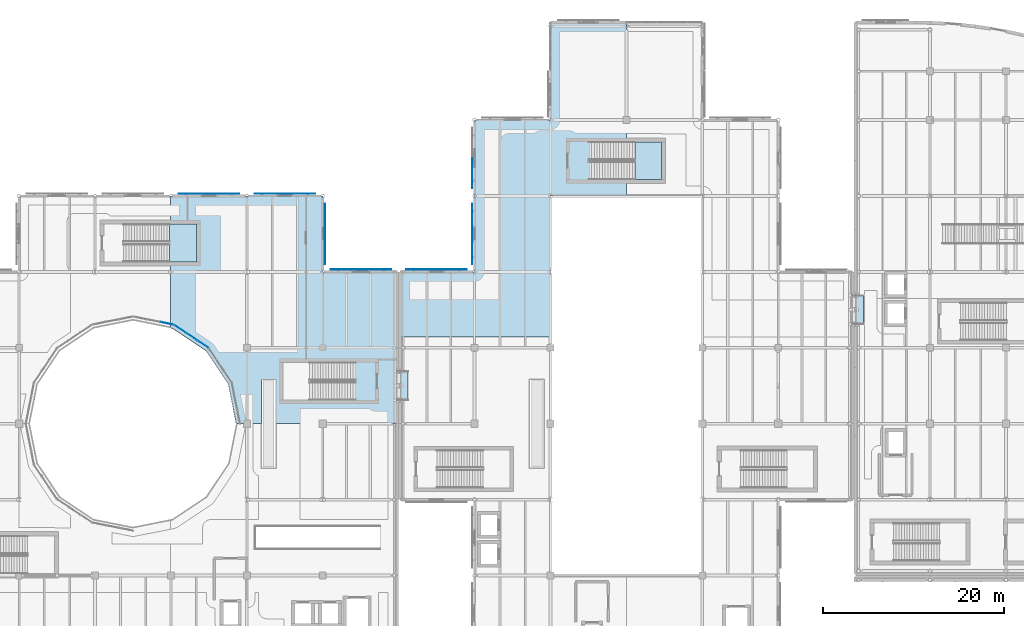
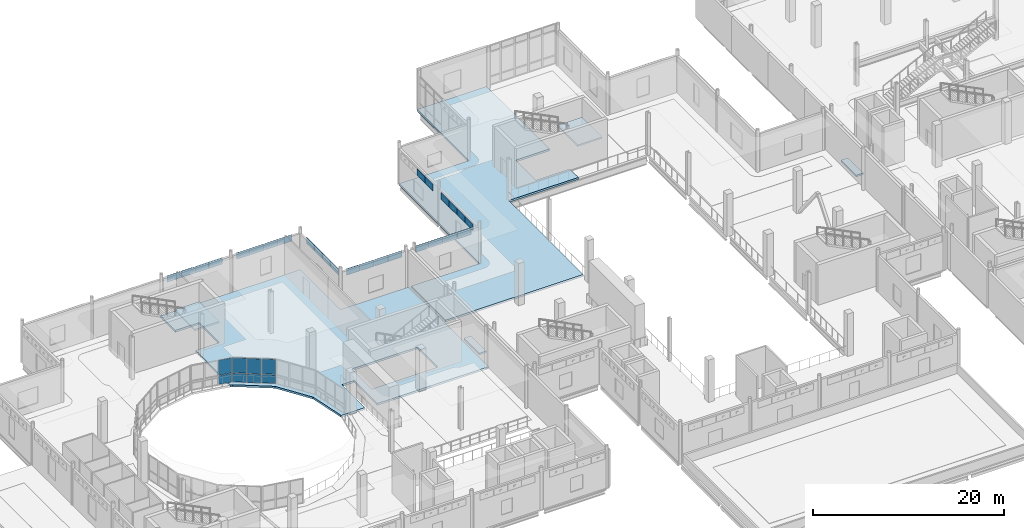
# One storey, part 59 of 110: 34 plates, 6 slabs, 4 elements without a shape of their own.
"""IFC4 building model written with IfcOpenShell, lengths in metres."""

import ifcopenshell
import ifcopenshell.guid

model = None  # the IFC model being written
_history = None  # IfcOwnerHistory: only IFC2X3 demands one
_inside = {}  # id of a spatial element -> (the spatial element, [elements in it])
_under = {}  # id of a project, library or spatial element -> (it, [spatial elements below it])
_declared = {}  # id of a project -> (the project, [libraries it declares])
_typed = {}  # id of a type object -> (the type object, [elements of that type])
_made_of = {}  # id of a material, layer set ... -> (it, [elements and type objects made of it])


def new_model(schema):
    """Start an empty IFC model of exactly this schema.

    Asked for "IFC4X3", IfcOpenShell would pick the latest addendum, in which some entities
    have other attributes; the version numbers below select the first issue.
    IFC2X3 requires an IfcOwnerHistory on every rooted entity: one is made here for all.
    """
    global model, _history
    if schema == "IFC4X3":
        model = ifcopenshell.file(schema_version=(4, 3, 0, 0))
    else:
        model = ifcopenshell.file(schema=schema)
    _inside.clear()
    _under.clear()
    _declared.clear()
    _typed.clear()
    _made_of.clear()
    _history = None
    if model.schema == "IFC2X3":
        org = make("IfcOrganization", Name="unknown")
        user = make(
            "IfcPersonAndOrganization",
            ThePerson=make("IfcPerson", FamilyName="unknown"),
            TheOrganization=org,
        )
        app = make(
            "IfcApplication",
            ApplicationDeveloper=org,
            Version="unknown",
            ApplicationFullName="unknown",
            ApplicationIdentifier="unknown",
        )
        _history = make(
            "IfcOwnerHistory",
            OwningUser=user,
            OwningApplication=app,
            ChangeAction="ADDED",
            CreationDate=0,
        )
    return model


def make(cls, **values):
    """One entity of the class cls with the attributes given. An attribute that is None is left unset."""
    return model.create_entity(
        cls, **{name: value for name, value in values.items() if value is not None}
    )


def rooted(cls, **values):
    """An entity with a GlobalId (a new one), such as an element, a storey or a relation."""
    return make(cls, GlobalId=ifcopenshell.guid.new(), OwnerHistory=_history, **values)


def si_unit(unit_type, name, prefix=None):
    """IfcSIUnit, for example si_unit("LENGTHUNIT", "METRE", prefix="MILLI")."""
    return make("IfcSIUnit", UnitType=unit_type, Prefix=prefix, Name=name)


def assignment(units):
    """IfcUnitAssignment: the units of a project."""
    return None if units is None else make("IfcUnitAssignment", Units=units)


def point(xyz):
    """IfcCartesianPoint."""
    return None if xyz is None else make("IfcCartesianPoint", Coordinates=xyz)


def direction(xyz):
    """IfcDirection."""
    return None if xyz is None else make("IfcDirection", DirectionRatios=xyz)


def frame(location, z_axis=None, x_axis=None):
    """IfcAxis2Placement3D, a coordinate frame: its origin and axes. An axis left out is left unset."""
    return make(
        "IfcAxis2Placement3D",
        Location=point(location),
        Axis=direction(z_axis),
        RefDirection=direction(x_axis),
    )


def frame_2d(location, x_axis=None):
    """IfcAxis2Placement2D, a coordinate frame in the plane: its origin and x axis."""
    return make(
        "IfcAxis2Placement2D", Location=point(location), RefDirection=direction(x_axis)
    )


def origin():
    """The frame at (0, 0, 0) with its axes left unset."""
    return frame((0.0, 0.0, 0.0))


def origin_2d():
    """The frame at (0, 0) in the plane with its x axis left unset."""
    return frame_2d((0.0, 0.0))


def place(relative_to, where):
    """IfcLocalPlacement: puts the frame where relative to a parent placement (None: the world)."""
    return make(
        "IfcLocalPlacement", PlacementRelTo=relative_to, RelativePlacement=where
    )


def context(
    kind, dimensions, precision=None, world=None, true_north=None, identifier=None
):
    """IfcGeometricRepresentationContext, for example the 3D "Model" context."""
    return make(
        "IfcGeometricRepresentationContext",
        ContextIdentifier=identifier,
        ContextType=kind,
        CoordinateSpaceDimension=dimensions,
        Precision=precision,
        WorldCoordinateSystem=world,
        TrueNorth=true_north,
    )


def subcontext(parent, identifier, kind, view, scale=None):
    """IfcGeometricRepresentationSubContext, for example "Body" below "Model"."""
    return make(
        "IfcGeometricRepresentationSubContext",
        ContextIdentifier=identifier,
        ContextType=kind,
        ParentContext=parent,
        TargetScale=scale,
        TargetView=view,
    )


def project(units=None, contexts=None):
    """IfcProject with its units and contexts."""
    return rooted(
        "IfcProject",
        Name="project",
        RepresentationContexts=contexts,
        UnitsInContext=assignment(units),
    )


def spatial(cls, under=None, at=None, **own):
    """A site, building, storey or space (cls), placed at a placement, below another one or the project."""
    s = rooted(cls, ObjectPlacement=at, **own)
    if under is not None:
        _under.setdefault(under.id(), (under, []))[1].append(s)
    return s


def polyline(points):
    """IfcPolyline through the points."""
    return make("IfcPolyline", Points=[point(p) for p in points])


def profile(cls, at=None, kind="AREA", **sizes):
    """A parametric profile (cls). Its sizes go by their IFC names, for example OverallWidth=200.0."""
    return make(cls, ProfileType=kind, Position=at, **sizes)


def rectangle(**sizes):
    """IfcRectangleProfileDef."""
    return profile("IfcRectangleProfileDef", **sizes)


def outline(outer, holes=None, kind="AREA"):
    """IfcArbitraryClosedProfileDef: a profile drawn as a closed curve; with holes, ...WithVoids."""
    if holes is None:
        return make("IfcArbitraryClosedProfileDef", ProfileType=kind, OuterCurve=outer)
    return make(
        "IfcArbitraryProfileDefWithVoids",
        ProfileType=kind,
        OuterCurve=outer,
        InnerCurves=holes,
    )


def extrude(swept, where, along, depth):
    """IfcExtrudedAreaSolid: the profile swept, set in the frame where, extruded along a direction by depth."""
    return make(
        "IfcExtrudedAreaSolid",
        SweptArea=swept,
        Position=where,
        ExtrudedDirection=direction(along),
        Depth=depth,
    )


def shape(context_of_items, identifier, shape_type, items):
    """IfcShapeRepresentation: the items that make up one representation, for example the "Body"."""
    return make(
        "IfcShapeRepresentation",
        ContextOfItems=context_of_items,
        RepresentationIdentifier=identifier,
        RepresentationType=shape_type,
        Items=items,
    )


def material(Name=None, Category=None):
    """IfcMaterial."""
    return make("IfcMaterial", Name=Name, Category=Category)


def layer(
    of_material, thickness, ventilated=None, Name=None, Category=None, Priority=None
):
    """IfcMaterialLayer: one layer of a wall or slab, of a material (None: an air gap)."""
    return make(
        "IfcMaterialLayer",
        Material=of_material,
        LayerThickness=thickness,
        IsVentilated=ventilated,
        Name=Name,
        Category=Category,
        Priority=Priority,
    )


def layer_set(layers, Name=None):
    """IfcMaterialLayerSet."""
    return make("IfcMaterialLayerSet", MaterialLayers=layers, LayerSetName=Name)


def made_of(thing, what):
    """Note that an element or type object is made of a material, layer set ...; save() writes the relation."""
    if what is not None:
        _made_of.setdefault(what.id(), (what, []))[1].append(thing)
    return thing


def type_object(cls, material=None, **own):
    """A type object (cls), such as IfcWallType, which elements share."""
    return made_of(rooted(cls, **own), material)


def element(
    cls,
    number,
    at=None,
    inside=None,
    cuts=None,
    type_object=None,
    material=None,
    context=None,
    identifier="Body",
    shape_type=None,
    held_by="IfcProductDefinitionShape",
    body=None,
    shapes=None,
    **own,
):
    """One element of the class cls, such as IfcWall. Its Tag is "e" and its number.

    at: its placement. inside: the storey or other place that contains it. cuts: it is an
    opening in that element (IfcRelVoidsElement). A single representation is given by context,
    identifier, shape_type and body (its items); several are given by shapes. held_by: the class
    of the entity that holds the representations. save() writes the other relations.
    """
    e = rooted(cls, Tag="e%d" % number, ObjectPlacement=at, **own)
    if body is not None:
        shapes = [shape(context, identifier, shape_type, body)]
    if shapes is not None:
        e.Representation = make(held_by, Representations=shapes)
    if inside is not None:
        _inside.setdefault(inside.id(), (inside, []))[1].append(e)
    if cuts is not None:
        rooted(
            "IfcRelVoidsElement", RelatingBuildingElement=cuts, RelatedOpeningElement=e
        )
    if type_object is not None:
        _typed.setdefault(type_object.id(), (type_object, []))[1].append(e)
    return made_of(e, material)


def aggregate(whole, parts):
    """IfcRelAggregates: a whole, such as a stair, and the parts it consists of."""
    return rooted("IfcRelAggregates", RelatingObject=whole, RelatedObjects=parts)


def save(model, path):
    """Write the relations noted so far, then the file.

    IfcRelAggregates (storeys below a building ...), IfcRelContainedInSpatialStructure (elements
    in a storey), IfcRelDefinesByType, IfcRelAssociatesMaterial and IfcRelDeclares: one each for
    every whole, place, type object, material and project.
    """
    for whole, parts in _under.values():
        aggregate(whole, parts)
    for where, things in _inside.values():
        rooted(
            "IfcRelContainedInSpatialStructure",
            RelatedElements=things,
            RelatingStructure=where,
        )
    for kind, things in _typed.values():
        rooted("IfcRelDefinesByType", RelatedObjects=things, RelatingType=kind)
    for what, things in _made_of.values():
        rooted("IfcRelAssociatesMaterial", RelatedObjects=things, RelatingMaterial=what)
    for by, libraries in _declared.values():
        rooted("IfcRelDeclares", RelatingContext=by, RelatedDefinitions=libraries)
    model.write(path)


model = new_model("IFC4")

# Units and contexts
model_context = context("Model", 3, precision=1e-05, world=origin(), true_north=direction((0.0, 1.0)))
body_context = subcontext(model_context, "Body", "Model", "MODEL_VIEW")
ifc_project = project(units=[si_unit("LENGTHUNIT", "METRE"), si_unit("AREAUNIT", "SQUARE_METRE"), si_unit("VOLUMEUNIT", "CUBIC_METRE"), si_unit("PLANEANGLEUNIT", "RADIAN"), si_unit("MASSUNIT", "GRAM", prefix="KILO"), si_unit("THERMODYNAMICTEMPERATUREUNIT", "KELVIN")], contexts=[model_context])

# Site, building, storey
site_placement = place(None, origin())
site = spatial("IfcSite", under=ifc_project, at=site_placement, CompositionType="ELEMENT")
building_placement = place(site_placement, origin())
building = spatial("IfcBuilding", under=site, at=building_placement, Name="Lustrewick Department Store", CompositionType="ELEMENT")
storey_placement = place(building_placement, frame((0.0, 0.0, 6.0)))
storey = spatial("IfcBuildingStorey", under=building, at=storey_placement, Name="L02", CompositionType="ELEMENT", Elevation=6.0)

# Curtain wall, plates
ifc_material_1 = material(Name="Thermally broken aluminium 6063-T5", Category="aluminium")
ifc_layer_1 = layer(ifc_material_1, 0.169921875, Name="Thermally broken aluminium 6063-T5")
ifc_layer_set_1 = layer_set([ifc_layer_1], Name="Thermally broken aluminium 6063-T5")
curtain_wall_type_1 = type_object("IfcCurtainWallType", Name="CW16", PredefinedType="NOTDEFINED", material=ifc_layer_set_1)
curtain_wall_1_placement = place(storey_placement, origin())
curtain_wall_1 = element("IfcCurtainWall", 1, at=curtain_wall_1_placement, inside=storey, type_object=curtain_wall_type_1, Name="L02 Atrium Glazed Screen CW16", PredefinedType="NOTDEFINED")
ifc_material_2 = material(Name="Fire-protective atrium safety glass", Category="glass")
ifc_layer_2 = layer(ifc_material_2, 0.02490234375, Name="Fire-protective atrium safety glass")
ifc_layer_set_2 = layer_set([ifc_layer_2], Name="Fire-protective atrium safety glass")
plate_type_1 = type_object("IfcPlateType", Name="CP06", PredefinedType="CURTAIN_PANEL", material=ifc_layer_set_2)
plate_1_placement = place(storey_placement, frame((37.125, 76.016357421875, 0.06494140625), z_axis=(0.0, 0.0, 1.0), x_axis=(-0.831464212799, 0.555578313862, 0.0)))
plate_1 = element("IfcPlate", 2, at=plate_1_placement, type_object=plate_type_1, Name="CW16 panel 1.1", PredefinedType="CURTAIN_PANEL", context=body_context, shape_type="SweptSolid", body=[
    extrude(rectangle(XDim=1.443603515625, YDim=0.02490234375, at=origin_2d()), origin(), (0.0, 0.0, 1.0), 1.1025390625),
])
plate_2_placement = place(storey_placement, frame((37.125, 76.016357421875, 1.232421875), z_axis=(0.0, 0.0, 1.0), x_axis=(-0.831464212799, 0.555578313862, 0.0)))
plate_2 = element("IfcPlate", 3, at=plate_2_placement, type_object=plate_type_1, Name="CW16 panel 1.2", PredefinedType="CURTAIN_PANEL", context=body_context, shape_type="SweptSolid", body=[
    extrude(rectangle(XDim=1.443603515625, YDim=0.02490234375, at=origin_2d()), origin(), (0.0, 0.0, 1.0), 1.902587890625),
])
plate_3_placement = place(storey_placement, frame((35.85693359375, 76.863525390625, 0.06494140625), z_axis=(0.0, 0.0, 1.0), x_axis=(-0.831464212799, 0.555578313862, 0.0)))
plate_3 = element("IfcPlate", 4, at=plate_3_placement, type_object=plate_type_1, Name="CW16 panel 2.1", PredefinedType="CURTAIN_PANEL", context=body_context, shape_type="SweptSolid", body=[
    extrude(rectangle(XDim=1.476318359375, YDim=0.02490234375, at=origin_2d()), origin(), (0.0, 0.0, 1.0), 1.1025390625),
])
plate_4_placement = place(storey_placement, frame((35.85693359375, 76.863525390625, 1.232421875), z_axis=(0.0, 0.0, 1.0), x_axis=(-0.831464212799, 0.555578313862, 0.0)))
plate_4 = element("IfcPlate", 5, at=plate_4_placement, type_object=plate_type_1, Name="CW16 panel 2.2", PredefinedType="CURTAIN_PANEL", context=body_context, shape_type="SweptSolid", body=[
    extrude(rectangle(XDim=1.476318359375, YDim=0.02490234375, at=origin_2d()), origin(), (0.0, 0.0, 1.0), 1.902587890625),
])
plate_5_placement = place(storey_placement, frame((34.589111328125, 77.7109375, 0.06494140625), z_axis=(0.0, 0.0, 1.0), x_axis=(-0.831464212799, 0.555578313862, 0.0)))
plate_5 = element("IfcPlate", 6, at=plate_5_placement, type_object=plate_type_1, Name="CW16 panel 3.1", PredefinedType="CURTAIN_PANEL", context=body_context, shape_type="SweptSolid", body=[
    extrude(rectangle(XDim=1.443603515625, YDim=0.02490234375, at=origin_2d()), origin(), (0.0, 0.0, 1.0), 1.1025390625),
])
plate_6_placement = place(storey_placement, frame((34.589111328125, 77.7109375, 1.232421875), z_axis=(0.0, 0.0, 1.0), x_axis=(-0.831464212799, 0.555578313862, 0.0)))
plate_6 = element("IfcPlate", 7, at=plate_6_placement, type_object=plate_type_1, Name="CW16 panel 3.2", PredefinedType="CURTAIN_PANEL", context=body_context, shape_type="SweptSolid", body=[
    extrude(rectangle(XDim=1.443603515625, YDim=0.02490234375, at=origin_2d()), origin(), (0.0, 0.0, 1.0), 1.902587890625),
])
aggregate(curtain_wall_1, [plate_1, plate_2, plate_3, plate_4, plate_5, plate_6])

ifc_layer_3 = layer(ifc_material_1, 0.159912109375, Name="Thermally broken aluminium 6063-T5")
ifc_layer_set_3 = layer_set([ifc_layer_3], Name="Thermally broken aluminium 6063-T5")
curtain_wall_type_2 = type_object("IfcCurtainWallType", Name="CW17", PredefinedType="NOTDEFINED", material=ifc_layer_set_3)
curtain_wall_2_placement = place(storey_placement, origin())
curtain_wall_2 = element("IfcCurtainWall", 8, at=curtain_wall_2_placement, inside=storey, type_object=curtain_wall_type_2, Name="L02 Atrium Glazed Screen CW17", PredefinedType="NOTDEFINED")
ifc_layer_4 = layer(ifc_material_2, 0.027099609375, Name="Fire-protective atrium safety glass")
ifc_layer_set_4 = layer_set([ifc_layer_4], Name="Fire-protective atrium safety glass")
plate_type_2 = type_object("IfcPlateType", Name="CP07", PredefinedType="CURTAIN_PANEL", material=ifc_layer_set_4)
plate_7_placement = place(storey_placement, frame((33.164306640625, 78.30126953125, 0.06005859375), z_axis=(0.0, 0.0, 1.0), x_axis=(-0.980786430993, 0.195084537521, 0.0)))
plate_7 = element("IfcPlate", 9, at=plate_7_placement, type_object=plate_type_2, Name="CW17 panel 1.1", PredefinedType="CURTAIN_PANEL", context=body_context, shape_type="SweptSolid", body=[
    extrude(rectangle(XDim=1.451171875, YDim=0.027099609375, at=origin_2d()), origin(), (0.0, 0.0, 1.0), 1.110107421875),
])
plate_8_placement = place(storey_placement, frame((33.164306640625, 78.30126953125, 1.22998046875), z_axis=(0.0, 0.0, 1.0), x_axis=(-0.980786430993, 0.195084537521, 0.0)))
plate_8 = element("IfcPlate", 10, at=plate_8_placement, type_object=plate_type_2, Name="CW17 panel 1.2", PredefinedType="CURTAIN_PANEL", context=body_context, shape_type="SweptSolid", body=[
    extrude(rectangle(XDim=1.451171875, YDim=0.027099609375, at=origin_2d()), origin(), (0.0, 0.0, 1.0), 1.909912109375),
])
aggregate(curtain_wall_2, [plate_7, plate_8])

# Slabs
ifc_material_3 = material(Name="Concrete C30", Category="concrete")
ifc_layer_5 = layer(ifc_material_3, 0.25, Name="Concrete C30")
ifc_layer_set_5 = layer_set([ifc_layer_5], Name="Concrete C30")
slab_type_1 = type_object("IfcSlabType", Name="FS02", PredefinedType="FLOOR", material=ifc_layer_set_5)
slab_1_placement = place(storey_placement, frame((0.0, 0.0, -0.25)))
element("IfcSlab", 11, at=slab_1_placement, inside=storey, type_object=slab_type_1, Name="L02 V1 Floor Slab FS02", PredefinedType="FLOOR", context=body_context, shape_type="SweptSolid", body=[
    extrude(outline(polyline([(58.64990234375, 67.199951171875), (58.64990234375, 84.0), (50.39990234375, 84.0), (50.39990234375, 92.39990234375), (33.52490234375, 92.39990234375), (33.52490234375, 89.300048828125), (36.39990234375, 89.300048828125), (36.39990234375, 85.10009765625), (33.52490234375, 85.10009765625), (33.52490234375, 77.779541015625), (33.7626953125, 77.732177734375), (37.4609375, 75.260986328125), (39.93212890625, 71.5625), (40.800048828125, 67.199951171875), (43.64990234375, 67.199951171875), (43.64990234375, 72.050048828125), (45.14990234375, 72.050048828125), (45.14990234375, 67.199951171875), (58.64990234375, 67.199951171875)]), holes=[polyline([(46.0, 69.800048828125), (46.0, 74.0), (53.97998046875, 74.0), (53.97998046875, 69.800048828125), (46.0, 69.800048828125)])]), origin(), (0.0, 0.0, 1.0), 0.25),
])
slab_2_placement = place(storey_placement, frame((0.0, 0.0, -0.25)))
element("IfcSlab", 12, at=slab_2_placement, inside=storey, type_object=slab_type_1, Name="L02 V2 Floor Slab FS02", PredefinedType="FLOOR", context=body_context, shape_type="SweptSolid", body=[
    extrude(outline(polyline([(58.949951171875, 84.0), (58.949951171875, 76.800048828125), (75.60009765625, 76.800048828125), (75.60009765625, 92.39990234375), (84.0, 92.39990234375), (84.0, 94.199951171875), (79.919921875, 94.199951171875), (79.919921875, 98.39990234375), (84.0, 98.39990234375), (84.0, 111.60009765625), (75.60009765625, 111.60009765625), (75.60009765625, 100.800048828125), (67.199951171875, 100.800048828125), (67.199951171875, 84.0), (58.949951171875, 84.0)])), origin(), (0.0, 0.0, 1.0), 0.25),
])
ifc_layer_6 = layer(ifc_material_3, 0.215087890625, Name="Concrete C30")
ifc_layer_set_6 = layer_set([ifc_layer_6], Name="Concrete C30")
slab_type_2 = type_object("IfcSlabType", Name="FS10", PredefinedType="FLOOR", material=ifc_layer_set_6)
slab_3_placement = place(storey_placement, frame((0.0, 0.0, -0.215087890625)))
element("IfcSlab", 13, at=slab_3_placement, inside=storey, type_object=slab_type_2, Name="L02 Skybridge SB12 Deck Slab", PredefinedType="FLOOR", context=body_context, shape_type="SweptSolid", body=[
    extrude(outline(polyline([(59.830078125, 69.800048828125), (59.830078125, 73.0), (58.955078125, 73.0), (58.955078125, 69.800048828125), (59.830078125, 69.800048828125)])), origin(), (0.0, 0.0, 1.0), 0.215087890625),
])
slab_4_placement = place(storey_placement, frame((0.0, 0.0, -0.215087890625)))
element("IfcSlab", 14, at=slab_4_placement, inside=storey, type_object=slab_type_2, Name="L02 Skybridge SB24 Deck Slab", PredefinedType="FLOOR", context=body_context, shape_type="SweptSolid", body=[
    extrude(outline(polyline([(110.22998046875, 78.199951171875), (110.22998046875, 81.39990234375), (109.35498046875, 81.39990234375), (109.35498046875, 78.199951171875), (110.22998046875, 78.199951171875)])), origin(), (0.0, 0.0, 1.0), 0.215087890625),
])

# Stair, slab
stair_type = type_object("IfcStairType", Name="ST-H54", PredefinedType="HALF_TURN_STAIR", material=ifc_material_3)
stair_1_placement = place(storey_placement, origin())
stair_1 = element("IfcStair", 15, at=stair_1_placement, inside=storey, type_object=stair_type, Name="L02 Smoke-Proof Exit Stair ST03", PredefinedType="HALF_TURN_STAIR")
ifc_layer_7 = layer(ifc_material_3, 0.199951171875, Name="Concrete C30")
ifc_layer_set_7 = layer_set([ifc_layer_7], Name="Concrete C30")
slab_type_3 = type_object("IfcSlabType", Name="LS01", PredefinedType="LANDING", material=ifc_layer_set_7)
slab_5_placement = place(storey_placement, frame((0.0, 0.0, 2.5)))
slab_5 = element("IfcSlab", 16, at=slab_5_placement, type_object=slab_type_3, Name="ST-H54 landing 1", PredefinedType="LANDING", context=body_context, shape_type="SweptSolid", body=[
    extrude(outline(polyline([(33.449951171875, 85.10009765625), (36.39990234375, 85.10009765625), (36.39990234375, 89.300048828125), (33.449951171875, 89.300048828125), (33.449951171875, 85.10009765625)])), origin(), (0.0, 0.0, 1.0), 0.199951171875),
])
aggregate(stair_1, [slab_5])

stair_2_placement = place(storey_placement, origin())
stair_2 = element("IfcStair", 17, at=stair_2_placement, inside=storey, type_object=stair_type, Name="L02 Smoke-Proof Exit Stair ST06", PredefinedType="HALF_TURN_STAIR")
slab_6_placement = place(storey_placement, frame((0.0, 0.0, 2.5)))
slab_6 = element("IfcSlab", 18, at=slab_6_placement, type_object=slab_type_3, Name="ST-H54 landing 1", PredefinedType="LANDING", context=body_context, shape_type="SweptSolid", body=[
    extrude(outline(polyline([(84.949951171875, 94.199951171875), (87.89990234375, 94.199951171875), (87.89990234375, 98.39990234375), (84.949951171875, 98.39990234375), (84.949951171875, 94.199951171875)])), origin(), (0.0, 0.0, 1.0), 0.199951171875),
])
aggregate(stair_2, [slab_6])

# Plates
ifc_material_4 = material(Name="Perforated white powder-coated aluminium 3003-H24", Category="aluminium")
ifc_layer_8 = layer(ifc_material_4, 0.011962890625, Name="Perforated white powder-coated aluminium 3003-H24")
ifc_layer_set_8 = layer_set([ifc_layer_8], Name="Perforated white powder-coated aluminium 3003-H24")
plate_type_3 = type_object("IfcPlateType", Name="PS03", PredefinedType="SHEET", material=ifc_layer_set_8)
for number, where, z_axis, x_axis, name in (
    (19, (57.14404296875, 84.26611328125, 3.8671875), (0.0, 0.0, 1.0), (-1.0, 0.0, 0.0), "L02 Botanical Filigree Cassette PS03 0001"),
    (20, (55.464111328125, 84.26611328125, 3.8671875), (0.0, 0.0, 1.0), (-1.0, 0.0, 0.0), "L02 Botanical Filigree Cassette PS03 0002"),
    (21, (53.783935546875, 84.26611328125, 3.8671875), (0.0, 0.0, 1.0), (-1.0, 0.0, 0.0), "L02 Botanical Filigree Cassette PS03 0003"),
    (22, (52.10400390625, 84.26611328125, 3.8671875), (0.0, 0.0, 1.0), (-1.0, 0.0, 0.0), "L02 Botanical Filigree Cassette PS03 0004"),
    (23, (50.64599609375, 85.687255859375, 3.77685546875), (0.0, 0.0, 1.0), (0.0, 1.0, 0.0), "L02 Botanical Filigree Cassette PS03 0005"),
    (24, (50.64599609375, 87.3671875, 3.77685546875), (0.0, 0.0, 1.0), (0.0, 1.0, 0.0), "L02 Botanical Filigree Cassette PS03 0006"),
    (25, (50.64599609375, 89.047119140625, 3.77685546875), (0.0, 0.0, 1.0), (0.0, 1.0, 0.0), "L02 Botanical Filigree Cassette PS03 0007"),
    (26, (50.64599609375, 90.727294921875, 3.77685546875), (0.0, 0.0, 1.0), (0.0, 1.0, 0.0), "L02 Botanical Filigree Cassette PS03 0008"),
    (27, (48.719970703125, 92.656005859375, 3.77685546875), (0.0, 0.0, 1.0), (-1.0, 0.0, 0.0), "L02 Botanical Filigree Cassette PS03 0009"),
    (28, (47.0400390625, 92.656005859375, 3.77685546875), (0.0, 0.0, 1.0), (-1.0, 0.0, 0.0), "L02 Botanical Filigree Cassette PS03 0010"),
    (29, (45.360107421875, 92.656005859375, 3.77685546875), (0.0, 0.0, 1.0), (-1.0, 0.0, 0.0), "L02 Botanical Filigree Cassette PS03 0011"),
    (30, (43.679931640625, 92.656005859375, 3.77685546875), (0.0, 0.0, 1.0), (-1.0, 0.0, 0.0), "L02 Botanical Filigree Cassette PS03 0012"),
    (31, (40.320068359375, 92.666015625, 3.77685546875), (0.0, 0.0, 1.0), (-1.0, 0.0, 0.0), "L02 Botanical Filigree Cassette PS03 0013"),
    (32, (38.639892578125, 92.666015625, 3.77685546875), (0.0, 0.0, 1.0), (-1.0, 0.0, 0.0), "L02 Botanical Filigree Cassette PS03 0014"),
    (33, (36.9599609375, 92.666015625, 3.77685546875), (0.0, 0.0, 1.0), (-1.0, 0.0, 0.0), "L02 Botanical Filigree Cassette PS03 0015"),
    (34, (35.280029296875, 92.666015625, 3.77685546875), (0.0, 0.0, 1.0), (-1.0, 0.0, 0.0), "L02 Botanical Filigree Cassette PS03 0016"),
):
    element("IfcPlate", number, at=place(storey_placement, frame(where, z_axis=z_axis, x_axis=x_axis)), inside=storey, type_object=plate_type_3, Name=name, PredefinedType="SHEET", context=body_context, shape_type="SweptSolid", body=[
        extrude(rectangle(XDim=1.639892578125, YDim=0.011962890625, at=origin_2d()), origin(), (0.0, 0.0, 1.0), 0.840087890625),
    ])
ifc_material_5 = material(Name="Sage-green enamelled aluminium spandrel 3003-H24", Category="aluminium")
ifc_layer_9 = layer(ifc_material_5, 0.01611328125, Name="Sage-green enamelled aluminium spandrel 3003-H24")
ifc_layer_set_9 = layer_set([ifc_layer_9], Name="Sage-green enamelled aluminium spandrel 3003-H24")
plate_type_4 = type_object("IfcPlateType", Name="PS05", PredefinedType="SHEET", material=ifc_layer_set_9)
for number, where, z_axis, x_axis, name in (
    (35, (66.94189453125, 95.752685546875, 3.7109375), (0.0, 0.0, 1.0), (0.0, -1.0, 0.0), "L02 Botanical Filigree Cassette PS05 0140"),
    (36, (66.94189453125, 94.07275390625, 3.7109375), (0.0, 0.0, 1.0), (0.0, -1.0, 0.0), "L02 Botanical Filigree Cassette PS05 0141"),
    (37, (66.931884765625, 90.727294921875, 3.7109375), (0.0, 0.0, 1.0), (0.0, -1.0, 0.0), "L02 Botanical Filigree Cassette PS05 0142"),
    (38, (66.931884765625, 89.047119140625, 3.7109375), (0.0, 0.0, 1.0), (0.0, -1.0, 0.0), "L02 Botanical Filigree Cassette PS05 0143"),
    (39, (66.931884765625, 87.3671875, 3.7109375), (0.0, 0.0, 1.0), (0.0, -1.0, 0.0), "L02 Botanical Filigree Cassette PS05 0144"),
    (40, (66.931884765625, 85.687255859375, 3.7109375), (0.0, 0.0, 1.0), (0.0, -1.0, 0.0), "L02 Botanical Filigree Cassette PS05 0145"),
    (41, (65.49609375, 84.26806640625, 3.8671875), (0.0, 0.0, 1.0), (-1.0, 0.0, 0.0), "L02 Botanical Filigree Cassette PS05 0146"),
    (42, (63.81591796875, 84.26806640625, 3.8671875), (0.0, 0.0, 1.0), (-1.0, 0.0, 0.0), "L02 Botanical Filigree Cassette PS05 0147"),
    (43, (62.135986328125, 84.26806640625, 3.8671875), (0.0, 0.0, 1.0), (-1.0, 0.0, 0.0), "L02 Botanical Filigree Cassette PS05 0148"),
    (44, (60.4560546875, 84.26806640625, 3.8671875), (0.0, 0.0, 1.0), (-1.0, 0.0, 0.0), "L02 Botanical Filigree Cassette PS05 0149"),
):
    element("IfcPlate", number, at=place(storey_placement, frame(where, z_axis=z_axis, x_axis=x_axis)), inside=storey, type_object=plate_type_4, Name=name, PredefinedType="SHEET", context=body_context, shape_type="SweptSolid", body=[
        extrude(rectangle(XDim=1.639892578125, YDim=0.01611328125, at=origin_2d()), origin(), (0.0, 0.0, 1.0), 0.840087890625),
    ])

save(model, "model.ifc")
